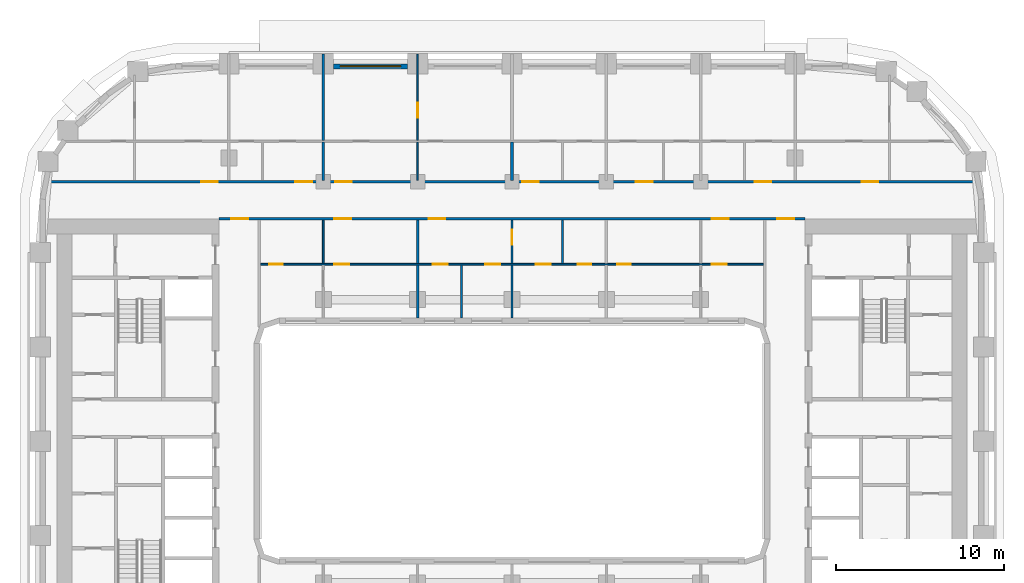
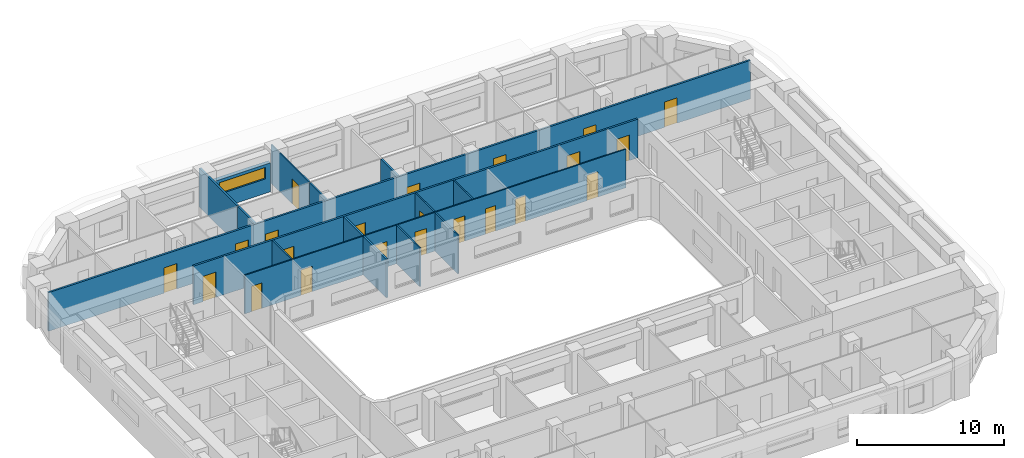
# One storey, part 8 of 21: 22 doors, 16 walls, 1 window, 23 openings.
"""IFC4 building model written with IfcOpenShell, lengths in metres."""

from ifc_helpers import new_model, si_unit, direction, frame, frame_2d, origin, place, context, subcontext, project, spatial, rectangle, extrude, material, layer, layer_set, type_object, element, fill, save


model = new_model("IFC4")

# Units and contexts
model_context = context("Model", 3, precision=1e-05, world=origin(), true_north=direction((0.0, 1.0)))
body_context = subcontext(model_context, "Body", "Model", "MODEL_VIEW")
ifc_project = project(units=[si_unit("LENGTHUNIT", "METRE"), si_unit("AREAUNIT", "SQUARE_METRE"), si_unit("VOLUMEUNIT", "CUBIC_METRE"), si_unit("PLANEANGLEUNIT", "RADIAN"), si_unit("MASSUNIT", "GRAM", prefix="KILO")], contexts=[model_context])

# Site, building, storey
site_placement = place(None, origin())
site = spatial("IfcSite", under=ifc_project, at=site_placement, CompositionType="ELEMENT")
building_placement = place(site_placement, origin())
building = spatial("IfcBuilding", under=site, at=building_placement, Name="Kiln Ring Residences", CompositionType="ELEMENT")
storey_placement = place(building_placement, frame((0.0, 0.0, 114.800048828125)))
storey = spatial("IfcBuildingStorey", under=building, at=storey_placement, Name="L29", CompositionType="ELEMENT", Elevation=114.800048828125)

# Wall, opening, window
ifc_material_1 = material(Name="Brick masonry, dark clay brick", Category="masonry")
ifc_layer_1 = layer(ifc_material_1, 0.300048828125)
ifc_layer_set_1 = layer_set([ifc_layer_1], Name="EW-300 BRICK WALL")
wall_type_1 = type_object("IfcWallType", Name="EW-300 BRICK WALL", PredefinedType="SOLIDWALL", material=ifc_layer_set_1)
wall_1_placement = place(storey_placement, frame((-6.199951171875, 22.25, 0.0), z_axis=(0.0, 0.0, 1.0), x_axis=(-1.0, 0.0, 0.0)))
wall_1 = element("IfcWall", 1, at=wall_1_placement, inside=storey, type_object=wall_type_1, Name="Facade wall L29 33", PredefinedType="SOLIDWALL", context=body_context, shape_type="SweptSolid", body=[
    extrude(rectangle(XDim=4.400146484375, YDim=0.300048828125, at=frame_2d((2.2001953125, 0.0))), origin(), (0.0, 0.0, 1.0), 2.39990234375),
])
opening_1_placement = place(wall_1_placement, frame((0.39990234375, 0.0, 1.199951171875)))
opening_1 = element("IfcOpeningElement", 2, at=opening_1_placement, cuts=wall_1, Name="Opening W4", PredefinedType="OPENING", context=body_context, shape_type="SweptSolid", body=[
    extrude(rectangle(XDim=3.60009765625, YDim=0.949951171875, at=frame_2d((1.800048828125, 0.47509765625))), frame((0.0, 0.159912109375, 0.0), z_axis=(0.0, -1.0, 0.0), x_axis=(1.0, 0.0, 0.0)), (0.0, 0.0, 1.0), 0.320068359375),
])
ifc_material_2 = material(Name="Aluminium frame with double glazing", Category="aluminium")
window_type = type_object("IfcWindowType", Name="WINDOW 3600 x 950", PartitioningType="SINGLE_PANEL", PredefinedType="WINDOW", material=ifc_material_2)
window_placement = place(opening_1_placement, origin())
window = element("IfcWindow", 3, at=window_placement, inside=storey, type_object=window_type, Name="Window L29 19", OverallHeight=0.949951171875, OverallWidth=3.60009765625, PartitioningType="SINGLE_PANEL", PredefinedType="WINDOW", context=body_context, shape_type="SweptSolid", body=[
    extrude(rectangle(XDim=3.60009765625, YDim=0.949951171875, at=frame_2d((1.800048828125, 0.47509765625))), frame((0.0, 0.030029296875, 0.0), z_axis=(0.0, -1.0, 0.0), x_axis=(1.0, 0.0, 0.0)), (0.0, 0.0, 1.0), 0.06005859375),
])
fill(opening_1, window)

# Wall, openings, doors
ifc_material_3 = material(Name="Gypsum board on steel studs", Category="steel")
ifc_layer_2 = layer(ifc_material_3, 0.10009765625)
ifc_layer_set_2 = layer_set([ifc_layer_2], Name="PARTITION-100")
wall_type_2 = type_object("IfcWallType", Name="PARTITION-100", PredefinedType="PARTITIONING", material=ifc_layer_set_2)
wall_2_placement = place(storey_placement, frame((-14.925048828125, 10.5, 0.0), z_axis=(0.0, 0.0, 1.0), x_axis=(1.0, 0.0, 0.0)))
wall_2 = element("IfcWall", 4, at=wall_2_placement, inside=storey, type_object=wall_type_2, Name="Partition 003", PredefinedType="PARTITIONING", context=body_context, shape_type="SweptSolid", body=[
    extrude(rectangle(XDim=29.85009765625, YDim=0.10009765625, at=frame_2d((14.925048828125, 0.0))), origin(), (0.0, 0.0, 1.0), 3.199951171875),
])
opening_2_placement = place(wall_2_placement, frame((0.52490234375, 0.0, 0.0)))
opening_2 = element("IfcOpeningElement", 5, at=opening_2_placement, cuts=wall_2, Name="Opening L29-D006", PredefinedType="OPENING", context=body_context, shape_type="SweptSolid", body=[
    extrude(rectangle(XDim=0.800048828125, YDim=2.10009765625, at=frame_2d((0.39990234375, 1.050048828125))), frame((0.0, 0.06005859375, 0.0), z_axis=(0.0, -1.0, 0.0), x_axis=(1.0, 0.0, 0.0)), (0.0, 0.0, 1.0), 0.1201171875),
])
opening_3_placement = place(wall_2_placement, frame((4.375, 0.0, 0.0)))
opening_3 = element("IfcOpeningElement", 6, at=opening_3_placement, cuts=wall_2, Name="Opening L29-D007", PredefinedType="OPENING", context=body_context, shape_type="SweptSolid", body=[
    extrude(rectangle(XDim=0.89990234375, YDim=2.10009765625, at=frame_2d((0.449951171875, 1.050048828125))), frame((0.0, 0.06005859375, 0.0), z_axis=(0.0, -1.0, 0.0), x_axis=(1.0, 0.0, 0.0)), (0.0, 0.0, 1.0), 0.1201171875),
])
opening_4_placement = place(wall_2_placement, frame((18.824951171875, 0.0, 0.0)))
opening_4 = element("IfcOpeningElement", 7, at=opening_4_placement, cuts=wall_2, Name="Opening L29-D011", PredefinedType="OPENING", context=body_context, shape_type="SweptSolid", body=[
    extrude(rectangle(XDim=0.800048828125, YDim=2.10009765625, at=frame_2d((0.39990234375, 1.050048828125))), frame((0.0, 0.06005859375, 0.0), z_axis=(0.0, -1.0, 0.0), x_axis=(1.0, 0.0, 0.0)), (0.0, 0.0, 1.0), 0.1201171875),
])
opening_5_placement = place(wall_2_placement, frame((16.324951171875, 0.0, 0.0)))
opening_5 = element("IfcOpeningElement", 8, at=opening_5_placement, cuts=wall_2, Name="Opening L29-D012", PredefinedType="OPENING", context=body_context, shape_type="SweptSolid", body=[
    extrude(rectangle(XDim=0.89990234375, YDim=2.10009765625, at=frame_2d((0.449951171875, 1.050048828125))), frame((0.0, 0.06005859375, 0.0), z_axis=(0.0, -1.0, 0.0), x_axis=(1.0, 0.0, 0.0)), (0.0, 0.0, 1.0), 0.1201171875),
])
opening_6_placement = place(wall_2_placement, frame((10.22509765625, 0.0, 0.0)))
opening_6 = element("IfcOpeningElement", 9, at=opening_6_placement, cuts=wall_2, Name="Opening L29-D013", PredefinedType="OPENING", context=body_context, shape_type="SweptSolid", body=[
    extrude(rectangle(XDim=0.89990234375, YDim=2.10009765625, at=frame_2d((0.449951171875, 1.050048828125))), frame((0.0, 0.06005859375, 0.0), z_axis=(0.0, -1.0, 0.0), x_axis=(1.0, 0.0, 0.0)), (0.0, 0.0, 1.0), 0.1201171875),
])
opening_7_placement = place(wall_2_placement, frame((13.324951171875, 0.0, 0.0)))
opening_7 = element("IfcOpeningElement", 10, at=opening_7_placement, cuts=wall_2, Name="Opening L29-D014", PredefinedType="OPENING", context=body_context, shape_type="SweptSolid", body=[
    extrude(rectangle(XDim=0.89990234375, YDim=2.10009765625, at=frame_2d((0.449951171875, 1.050048828125))), frame((0.0, 0.06005859375, 0.0), z_axis=(0.0, -1.0, 0.0), x_axis=(1.0, 0.0, 0.0)), (0.0, 0.0, 1.0), 0.1201171875),
])
opening_8_placement = place(wall_2_placement, frame((21.175048828125, 0.0, 0.0)))
opening_8 = element("IfcOpeningElement", 11, at=opening_8_placement, cuts=wall_2, Name="Opening L29-D016", PredefinedType="OPENING", context=body_context, shape_type="SweptSolid", body=[
    extrude(rectangle(XDim=0.800048828125, YDim=2.10009765625, at=frame_2d((0.39990234375, 1.050048828125))), frame((0.0, 0.06005859375, 0.0), z_axis=(0.0, -1.0, 0.0), x_axis=(1.0, 0.0, 0.0)), (0.0, 0.0, 1.0), 0.1201171875),
])
opening_9_placement = place(wall_2_placement, frame((26.77490234375, 0.0, 0.0)))
opening_9 = element("IfcOpeningElement", 12, at=opening_9_placement, cuts=wall_2, Name="Opening L29-D017", PredefinedType="OPENING", context=body_context, shape_type="SweptSolid", body=[
    extrude(rectangle(XDim=0.89990234375, YDim=2.10009765625, at=frame_2d((0.449951171875, 1.050048828125))), frame((0.0, 0.06005859375, 0.0), z_axis=(0.0, -1.0, 0.0), x_axis=(1.0, 0.0, 0.0)), (0.0, 0.0, 1.0), 0.1201171875),
])
ifc_material_4 = material(Name="Timber door leaf", Category="wood")
door_type_1 = type_object("IfcDoorType", Name="FLAT-DOOR-800-PL", OperationType="SINGLE_SWING_LEFT", PredefinedType="DOOR", material=ifc_material_4)
door_1_placement = place(opening_2_placement, origin())
door_1 = element("IfcDoor", 13, at=door_1_placement, inside=storey, type_object=door_type_1, Name="Door L29-D006", OperationType="SINGLE_SWING_RIGHT", OverallHeight=2.10009765625, OverallWidth=0.800048828125, PredefinedType="DOOR", context=body_context, shape_type="SweptSolid", body=[
    extrude(rectangle(XDim=0.800048828125, YDim=2.10009765625, at=frame_2d((0.39990234375, 1.050048828125))), frame((0.0, 0.02490234375, 0.0), z_axis=(0.0, -1.0, 0.0), x_axis=(1.0, 0.0, 0.0)), (0.0, 0.0, 1.0), 0.050048828125),
])
fill(opening_2, door_1)
door_2_placement = place(opening_4_placement, origin())
door_2 = element("IfcDoor", 14, at=door_2_placement, inside=storey, type_object=door_type_1, Name="Door L29-D011", OperationType="SINGLE_SWING_LEFT", OverallHeight=2.10009765625, OverallWidth=0.800048828125, PredefinedType="DOOR", context=body_context, shape_type="SweptSolid", body=[
    extrude(rectangle(XDim=0.800048828125, YDim=2.10009765625, at=frame_2d((0.39990234375, 1.050048828125))), frame((0.0, 0.02490234375, 0.0), z_axis=(0.0, -1.0, 0.0), x_axis=(1.0, 0.0, 0.0)), (0.0, 0.0, 1.0), 0.050048828125),
])
fill(opening_4, door_2)
door_3_placement = place(opening_8_placement, origin())
door_3 = element("IfcDoor", 15, at=door_3_placement, inside=storey, type_object=door_type_1, Name="Door L29-D016", OperationType="SINGLE_SWING_RIGHT", OverallHeight=2.10009765625, OverallWidth=0.800048828125, PredefinedType="DOOR", context=body_context, shape_type="SweptSolid", body=[
    extrude(rectangle(XDim=0.800048828125, YDim=2.10009765625, at=frame_2d((0.39990234375, 1.050048828125))), frame((0.0, 0.02490234375, 0.0), z_axis=(0.0, -1.0, 0.0), x_axis=(1.0, 0.0, 0.0)), (0.0, 0.0, 1.0), 0.050048828125),
])
fill(opening_8, door_3)
ifc_material_5 = material(Name="Timber door leaf", Category="wood")
door_type_2 = type_object("IfcDoorType", Name="FLAT-DOOR-900-PL", OperationType="SINGLE_SWING_LEFT", PredefinedType="DOOR", material=ifc_material_5)
door_4_placement = place(opening_3_placement, origin())
door_4 = element("IfcDoor", 16, at=door_4_placement, inside=storey, type_object=door_type_2, Name="Door L29-D007", OperationType="SINGLE_SWING_LEFT", OverallHeight=2.10009765625, OverallWidth=0.89990234375, PredefinedType="DOOR", context=body_context, shape_type="SweptSolid", body=[
    extrude(rectangle(XDim=0.89990234375, YDim=2.10009765625, at=frame_2d((0.449951171875, 1.050048828125))), frame((0.0, 0.02490234375, 0.0), z_axis=(0.0, -1.0, 0.0), x_axis=(1.0, 0.0, 0.0)), (0.0, 0.0, 1.0), 0.050048828125),
])
fill(opening_3, door_4)
door_5_placement = place(opening_5_placement, origin())
door_5 = element("IfcDoor", 17, at=door_5_placement, inside=storey, type_object=door_type_2, Name="Door L29-D012", OperationType="SINGLE_SWING_RIGHT", OverallHeight=2.10009765625, OverallWidth=0.89990234375, PredefinedType="DOOR", context=body_context, shape_type="SweptSolid", body=[
    extrude(rectangle(XDim=0.89990234375, YDim=2.10009765625, at=frame_2d((0.449951171875, 1.050048828125))), frame((0.0, 0.02490234375, 0.0), z_axis=(0.0, -1.0, 0.0), x_axis=(1.0, 0.0, 0.0)), (0.0, 0.0, 1.0), 0.050048828125),
])
fill(opening_5, door_5)
door_6_placement = place(opening_6_placement, origin())
door_6 = element("IfcDoor", 18, at=door_6_placement, inside=storey, type_object=door_type_2, Name="Door L29-D013", OperationType="SINGLE_SWING_LEFT", OverallHeight=2.10009765625, OverallWidth=0.89990234375, PredefinedType="DOOR", context=body_context, shape_type="SweptSolid", body=[
    extrude(rectangle(XDim=0.89990234375, YDim=2.10009765625, at=frame_2d((0.449951171875, 1.050048828125))), frame((0.0, 0.02490234375, 0.0), z_axis=(0.0, -1.0, 0.0), x_axis=(1.0, 0.0, 0.0)), (0.0, 0.0, 1.0), 0.050048828125),
])
fill(opening_6, door_6)
door_7_placement = place(opening_7_placement, origin())
door_7 = element("IfcDoor", 19, at=door_7_placement, inside=storey, type_object=door_type_2, Name="Door L29-D014", OperationType="SINGLE_SWING_RIGHT", OverallHeight=2.10009765625, OverallWidth=0.89990234375, PredefinedType="DOOR", context=body_context, shape_type="SweptSolid", body=[
    extrude(rectangle(XDim=0.89990234375, YDim=2.10009765625, at=frame_2d((0.449951171875, 1.050048828125))), frame((0.0, 0.02490234375, 0.0), z_axis=(0.0, -1.0, 0.0), x_axis=(1.0, 0.0, 0.0)), (0.0, 0.0, 1.0), 0.050048828125),
])
fill(opening_7, door_7)
door_8_placement = place(opening_9_placement, origin())
door_8 = element("IfcDoor", 20, at=door_8_placement, inside=storey, type_object=door_type_2, Name="Door L29-D017", OperationType="SINGLE_SWING_LEFT", OverallHeight=2.10009765625, OverallWidth=0.89990234375, PredefinedType="DOOR", context=body_context, shape_type="SweptSolid", body=[
    extrude(rectangle(XDim=0.89990234375, YDim=2.10009765625, at=frame_2d((0.449951171875, 1.050048828125))), frame((0.0, 0.02490234375, 0.0), z_axis=(0.0, -1.0, 0.0), x_axis=(1.0, 0.0, 0.0)), (0.0, 0.0, 1.0), 0.050048828125),
])
fill(opening_9, door_8)

# Walls
wall_3_placement = place(storey_placement, frame((-11.199951171875, 10.550048828125, 0.0), z_axis=(0.0, 0.0, 1.0), x_axis=(0.0, 1.0, 0.0)))
element("IfcWall", 21, at=wall_3_placement, inside=storey, type_object=wall_type_2, Name="Partition 023", PredefinedType="PARTITIONING", context=body_context, shape_type="SweptSolid", body=[
    extrude(rectangle(XDim=2.574951171875, YDim=0.10009765625, at=frame_2d((1.28759765625, 0.0))), origin(), (0.0, 0.0, 1.0), 3.199951171875),
])
wall_4_placement = place(storey_placement, frame((-5.60009765625, 15.47509765625, 0.0), z_axis=(0.0, 0.0, 1.0), x_axis=(0.0, 1.0, 0.0)))
element("IfcWall", 22, at=wall_4_placement, inside=storey, type_object=wall_type_2, Name="Partition 028", PredefinedType="PARTITIONING", context=body_context, shape_type="SweptSolid", body=[
    extrude(rectangle(XDim=2.27490234375, YDim=0.10009765625, at=frame_2d((1.137451171875, 0.0))), origin(), (0.0, 0.0, 1.0), 3.199951171875),
])

# Wall, opening, door
wall_5_placement = place(storey_placement, frame((-5.60009765625, 17.85009765625, 0.0), z_axis=(0.0, 0.0, 1.0), x_axis=(0.0, 1.0, 0.0)))
wall_5 = element("IfcWall", 23, at=wall_5_placement, inside=storey, type_object=wall_type_2, Name="Partition 029", PredefinedType="PARTITIONING", context=body_context, shape_type="SweptSolid", body=[
    extrude(rectangle(XDim=5.1298828125, YDim=0.10009765625, at=frame_2d((2.56494140625, 0.0))), origin(), (0.0, 0.0, 1.0), 3.199951171875),
])
opening_10_placement = place(wall_5_placement, frame((1.35009765625, 0.0, 0.0)))
opening_10 = element("IfcOpeningElement", 24, at=opening_10_placement, cuts=wall_5, Name="Opening L29-D029", PredefinedType="OPENING", context=body_context, shape_type="SweptSolid", body=[
    extrude(rectangle(XDim=0.89990234375, YDim=2.10009765625, at=frame_2d((0.449951171875, 1.050048828125))), frame((0.0, 0.06005859375, 0.0), z_axis=(0.0, -1.0, 0.0), x_axis=(1.0, 0.0, 0.0)), (0.0, 0.0, 1.0), 0.1201171875),
])
door_9_placement = place(opening_10_placement, origin())
door_9 = element("IfcDoor", 25, at=door_9_placement, inside=storey, type_object=door_type_2, Name="Door L29-D029", OperationType="SINGLE_SWING_LEFT", OverallHeight=2.10009765625, OverallWidth=0.89990234375, PredefinedType="DOOR", context=body_context, shape_type="SweptSolid", body=[
    extrude(rectangle(XDim=0.89990234375, YDim=2.10009765625, at=frame_2d((0.449951171875, 1.050048828125))), frame((0.0, 0.02490234375, 0.0), z_axis=(0.0, -1.0, 0.0), x_axis=(1.0, 0.0, 0.0)), (0.0, 0.0, 1.0), 0.050048828125),
])
fill(opening_10, door_9)

# Walls
for number, where, z_axis, x_axis, name in (
    (26, (-3.0, 7.320068359375, 0.0), (0.0, 0.0, 1.0), (0.0, 1.0, 0.0), "Partition 034"),
    (27, (0.0, 7.320068359375, 0.0), (0.0, 0.0, 1.0), (0.0, 1.0, 0.0), "Partition 038"),
):
    element("IfcWall", number, at=place(storey_placement, frame(where, z_axis=z_axis, x_axis=x_axis)), inside=storey, type_object=wall_type_2, Name=name, PredefinedType="PARTITIONING", context=body_context, shape_type="SweptSolid", body=[
        extrude(rectangle(XDim=3.1298828125, YDim=0.10009765625, at=frame_2d((1.56494140625, 0.0))), origin(), (0.0, 0.0, 1.0), 3.199951171875),
    ])

# Wall, opening, door
wall_6_placement = place(storey_placement, frame((0.0, 10.550048828125, 0.0), z_axis=(0.0, 0.0, 1.0), x_axis=(0.0, 1.0, 0.0)))
wall_6 = element("IfcWall", 28, at=wall_6_placement, inside=storey, type_object=wall_type_2, Name="Partition 039", PredefinedType="PARTITIONING", context=body_context, shape_type="SweptSolid", body=[
    extrude(rectangle(XDim=2.574951171875, YDim=0.10009765625, at=frame_2d((1.28759765625, 0.0))), origin(), (0.0, 0.0, 1.0), 3.199951171875),
])
opening_11_placement = place(wall_6_placement, frame((1.10009765625, 0.0, 0.0)))
opening_11 = element("IfcOpeningElement", 29, at=opening_11_placement, cuts=wall_6, Name="Opening L29-D010", PredefinedType="OPENING", context=body_context, shape_type="SweptSolid", body=[
    extrude(rectangle(XDim=0.89990234375, YDim=2.10009765625, at=frame_2d((0.449951171875, 1.050048828125))), frame((0.0, 0.06005859375, 0.0), z_axis=(0.0, -1.0, 0.0), x_axis=(1.0, 0.0, 0.0)), (0.0, 0.0, 1.0), 0.1201171875),
])
door_10_placement = place(opening_11_placement, origin())
door_10 = element("IfcDoor", 30, at=door_10_placement, inside=storey, type_object=door_type_2, Name="Door L29-D010", OperationType="SINGLE_SWING_RIGHT", OverallHeight=2.10009765625, OverallWidth=0.89990234375, PredefinedType="DOOR", context=body_context, shape_type="SweptSolid", body=[
    extrude(rectangle(XDim=0.89990234375, YDim=2.10009765625, at=frame_2d((0.449951171875, 1.050048828125))), frame((0.0, 0.02490234375, 0.0), z_axis=(0.0, -1.0, 0.0), x_axis=(1.0, 0.0, 0.0)), (0.0, 0.0, 1.0), 0.050048828125),
])
fill(opening_11, door_10)

# Wall
wall_7_placement = place(storey_placement, frame((3.0, 10.550048828125, 0.0), z_axis=(0.0, 0.0, 1.0), x_axis=(0.0, 1.0, 0.0)))
element("IfcWall", 31, at=wall_7_placement, inside=storey, type_object=wall_type_2, Name="Partition 042", PredefinedType="PARTITIONING", context=body_context, shape_type="SweptSolid", body=[
    extrude(rectangle(XDim=2.574951171875, YDim=0.10009765625, at=frame_2d((1.28759765625, 0.0))), origin(), (0.0, 0.0, 1.0), 3.199951171875),
])

# Wall, openings, doors
ifc_material_6 = material(Name="Brick masonry partition", Category="masonry")
ifc_layer_3 = layer(ifc_material_6, 0.14990234375)
ifc_layer_set_3 = layer_set([ifc_layer_3], Name="PARTITION-150-ei60")
wall_type_3 = type_object("IfcWallType", Name="PARTITION-150-ei60", PredefinedType="PARTITIONING", material=ifc_layer_set_3)
wall_8_placement = place(storey_placement, frame((-17.39990234375, 13.199951171875, 0.0), z_axis=(0.0, 0.0, 1.0), x_axis=(1.0, 0.0, 0.0)))
wall_8 = element("IfcWall", 32, at=wall_8_placement, inside=storey, type_object=wall_type_3, Name="Partition 004", PredefinedType="PARTITIONING", context=body_context, shape_type="SweptSolid", body=[
    extrude(rectangle(XDim=34.7998046875, YDim=0.14990234375, at=frame_2d((17.39990234375, 0.0))), origin(), (0.0, 0.0, 1.0), 3.199951171875),
])
opening_12_placement = place(wall_8_placement, frame((0.75, 0.0, 0.0)))
opening_12 = element("IfcOpeningElement", 33, at=opening_12_placement, cuts=wall_8, Name="Opening L29-D001", PredefinedType="OPENING", context=body_context, shape_type="SweptSolid", body=[
    extrude(rectangle(XDim=1.0, YDim=2.10009765625, at=frame_2d((0.5, 1.050048828125))), frame((0.0, 0.0849609375, 0.0), z_axis=(0.0, -1.0, 0.0), x_axis=(1.0, 0.0, 0.0)), (0.0, 0.0, 1.0), 0.169921875),
])
opening_13_placement = place(wall_8_placement, frame((33.14990234375, 0.0, 0.0)))
opening_13 = element("IfcOpeningElement", 34, at=opening_13_placement, cuts=wall_8, Name="Opening L29-D002", PredefinedType="OPENING", context=body_context, shape_type="SweptSolid", body=[
    extrude(rectangle(XDim=1.0, YDim=2.10009765625, at=frame_2d((0.5, 1.050048828125))), frame((0.0, 0.0849609375, 0.0), z_axis=(0.0, -1.0, 0.0), x_axis=(1.0, 0.0, 0.0)), (0.0, 0.0, 1.0), 0.169921875),
])
opening_14_placement = place(wall_8_placement, frame((6.85009765625, 0.0, 0.0)))
opening_14 = element("IfcOpeningElement", 35, at=opening_14_placement, cuts=wall_8, Name="Opening L29-D005", PredefinedType="OPENING", context=body_context, shape_type="SweptSolid", body=[
    extrude(rectangle(XDim=1.0, YDim=2.10009765625, at=frame_2d((0.5, 1.050048828125))), frame((0.0, 0.0849609375, 0.0), z_axis=(0.0, -1.0, 0.0), x_axis=(1.0, 0.0, 0.0)), (0.0, 0.0, 1.0), 0.169921875),
])
opening_15_placement = place(wall_8_placement, frame((12.449951171875, 0.0, 0.0)))
opening_15 = element("IfcOpeningElement", 36, at=opening_15_placement, cuts=wall_8, Name="Opening L29-D009", PredefinedType="OPENING", context=body_context, shape_type="SweptSolid", body=[
    extrude(rectangle(XDim=1.0, YDim=2.10009765625, at=frame_2d((0.5, 1.050048828125))), frame((0.0, 0.0849609375, 0.0), z_axis=(0.0, -1.0, 0.0), x_axis=(1.0, 0.0, 0.0)), (0.0, 0.0, 1.0), 0.169921875),
])
opening_16_placement = place(wall_8_placement, frame((29.25, 0.0, 0.0)))
opening_16 = element("IfcOpeningElement", 37, at=opening_16_placement, cuts=wall_8, Name="Opening L29-D015", PredefinedType="OPENING", context=body_context, shape_type="SweptSolid", body=[
    extrude(rectangle(XDim=1.0, YDim=2.10009765625, at=frame_2d((0.5, 1.050048828125))), frame((0.0, 0.0849609375, 0.0), z_axis=(0.0, -1.0, 0.0), x_axis=(1.0, 0.0, 0.0)), (0.0, 0.0, 1.0), 0.169921875),
])
ifc_material_7 = material(Name="Steel faced fire door leaf", Category="steel")
door_type_3 = type_object("IfcDoorType", Name="FLAT-DOOR-1000-FR", OperationType="SINGLE_SWING_LEFT", PredefinedType="DOOR", material=ifc_material_7)
door_11_placement = place(opening_12_placement, origin())
door_11 = element("IfcDoor", 38, at=door_11_placement, inside=storey, type_object=door_type_3, Name="Door L29-D001", OperationType="SINGLE_SWING_RIGHT", OverallHeight=2.10009765625, OverallWidth=1.0, PredefinedType="DOOR", context=body_context, shape_type="SweptSolid", body=[
    extrude(rectangle(XDim=1.0, YDim=2.10009765625, at=frame_2d((0.5, 1.050048828125))), frame((0.0, 0.02490234375, 0.0), z_axis=(0.0, -1.0, 0.0), x_axis=(1.0, 0.0, 0.0)), (0.0, 0.0, 1.0), 0.050048828125),
])
fill(opening_12, door_11)
door_12_placement = place(opening_13_placement, origin())
door_12 = element("IfcDoor", 39, at=door_12_placement, inside=storey, type_object=door_type_3, Name="Door L29-D002", OperationType="SINGLE_SWING_LEFT", OverallHeight=2.10009765625, OverallWidth=1.0, PredefinedType="DOOR", context=body_context, shape_type="SweptSolid", body=[
    extrude(rectangle(XDim=1.0, YDim=2.10009765625, at=frame_2d((0.5, 1.050048828125))), frame((0.0, 0.02490234375, 0.0), z_axis=(0.0, -1.0, 0.0), x_axis=(1.0, 0.0, 0.0)), (0.0, 0.0, 1.0), 0.050048828125),
])
fill(opening_13, door_12)
door_13_placement = place(opening_14_placement, origin())
door_13 = element("IfcDoor", 40, at=door_13_placement, inside=storey, type_object=door_type_3, Name="Door L29-D005", OperationType="SINGLE_SWING_LEFT", OverallHeight=2.10009765625, OverallWidth=1.0, PredefinedType="DOOR", context=body_context, shape_type="SweptSolid", body=[
    extrude(rectangle(XDim=1.0, YDim=2.10009765625, at=frame_2d((0.5, 1.050048828125))), frame((0.0, 0.02490234375, 0.0), z_axis=(0.0, -1.0, 0.0), x_axis=(1.0, 0.0, 0.0)), (0.0, 0.0, 1.0), 0.050048828125),
])
fill(opening_14, door_13)
door_14_placement = place(opening_15_placement, origin())
door_14 = element("IfcDoor", 41, at=door_14_placement, inside=storey, type_object=door_type_3, Name="Door L29-D009", OperationType="SINGLE_SWING_LEFT", OverallHeight=2.10009765625, OverallWidth=1.0, PredefinedType="DOOR", context=body_context, shape_type="SweptSolid", body=[
    extrude(rectangle(XDim=1.0, YDim=2.10009765625, at=frame_2d((0.5, 1.050048828125))), frame((0.0, 0.02490234375, 0.0), z_axis=(0.0, -1.0, 0.0), x_axis=(1.0, 0.0, 0.0)), (0.0, 0.0, 1.0), 0.050048828125),
])
fill(opening_15, door_14)
door_15_placement = place(opening_16_placement, origin())
door_15 = element("IfcDoor", 42, at=door_15_placement, inside=storey, type_object=door_type_3, Name="Door L29-D015", OperationType="SINGLE_SWING_LEFT", OverallHeight=2.10009765625, OverallWidth=1.0, PredefinedType="DOOR", context=body_context, shape_type="SweptSolid", body=[
    extrude(rectangle(XDim=1.0, YDim=2.10009765625, at=frame_2d((0.5, 1.050048828125))), frame((0.0, 0.02490234375, 0.0), z_axis=(0.0, -1.0, 0.0), x_axis=(1.0, 0.0, 0.0)), (0.0, 0.0, 1.0), 0.050048828125),
])
fill(opening_16, door_15)

wall_9_placement = place(storey_placement, frame((-27.48388671875, 15.39990234375, 0.0), z_axis=(0.0, 0.0, 1.0), x_axis=(1.0, 0.0, 0.0)))
wall_9 = element("IfcWall", 43, at=wall_9_placement, inside=storey, type_object=wall_type_3, Name="Partition 005", PredefinedType="PARTITIONING", context=body_context, shape_type="SweptSolid", body=[
    extrude(rectangle(XDim=54.9677734375, YDim=0.14990234375, at=frame_2d((27.48388671875, 0.0))), origin(), (0.0, 0.0, 1.0), 3.199951171875),
])
opening_17_placement = place(wall_9_placement, frame((9.03369140625, 0.0, 0.0)))
opening_17 = element("IfcOpeningElement", 44, at=opening_17_placement, cuts=wall_9, Name="Opening L29-D019", PredefinedType="OPENING", context=body_context, shape_type="SweptSolid", body=[
    extrude(rectangle(XDim=1.0, YDim=2.10009765625, at=frame_2d((0.5, 1.050048828125))), frame((0.0, 0.0849609375, 0.0), z_axis=(0.0, -1.0, 0.0), x_axis=(1.0, 0.0, 0.0)), (0.0, 0.0, 1.0), 0.169921875),
])
opening_18_placement = place(wall_9_placement, frame((14.6337890625, 0.0, 0.0)))
opening_18 = element("IfcOpeningElement", 45, at=opening_18_placement, cuts=wall_9, Name="Opening L29-D023", PredefinedType="OPENING", context=body_context, shape_type="SweptSolid", body=[
    extrude(rectangle(XDim=1.0, YDim=2.10009765625, at=frame_2d((0.5, 1.050048828125))), frame((0.0, 0.0849609375, 0.0), z_axis=(0.0, -1.0, 0.0), x_axis=(1.0, 0.0, 0.0)), (0.0, 0.0, 1.0), 0.169921875),
])
opening_19_placement = place(wall_9_placement, frame((16.98388671875, 0.0, 0.0)))
opening_19 = element("IfcOpeningElement", 46, at=opening_19_placement, cuts=wall_9, Name="Opening L29-D026", PredefinedType="OPENING", context=body_context, shape_type="SweptSolid", body=[
    extrude(rectangle(XDim=1.0, YDim=2.10009765625, at=frame_2d((0.5, 1.050048828125))), frame((0.0, 0.0849609375, 0.0), z_axis=(0.0, -1.0, 0.0), x_axis=(1.0, 0.0, 0.0)), (0.0, 0.0, 1.0), 0.169921875),
])
opening_20_placement = place(wall_9_placement, frame((28.083740234375, 0.0, 0.0)))
opening_20 = element("IfcOpeningElement", 47, at=opening_20_placement, cuts=wall_9, Name="Opening L29-D030", PredefinedType="OPENING", context=body_context, shape_type="SweptSolid", body=[
    extrude(rectangle(XDim=1.0, YDim=2.10009765625, at=frame_2d((0.5, 1.050048828125))), frame((0.0, 0.0849609375, 0.0), z_axis=(0.0, -1.0, 0.0), x_axis=(1.0, 0.0, 0.0)), (0.0, 0.0, 1.0), 0.169921875),
])
opening_21_placement = place(wall_9_placement, frame((34.833740234375, 0.0, 0.0)))
opening_21 = element("IfcOpeningElement", 48, at=opening_21_placement, cuts=wall_9, Name="Opening L29-D033", PredefinedType="OPENING", context=body_context, shape_type="SweptSolid", body=[
    extrude(rectangle(XDim=1.0, YDim=2.10009765625, at=frame_2d((0.5, 1.050048828125))), frame((0.0, 0.0849609375, 0.0), z_axis=(0.0, -1.0, 0.0), x_axis=(1.0, 0.0, 0.0)), (0.0, 0.0, 1.0), 0.169921875),
])
opening_22_placement = place(wall_9_placement, frame((41.8837890625, 0.0, 0.0)))
opening_22 = element("IfcOpeningElement", 49, at=opening_22_placement, cuts=wall_9, Name="Opening L29-D036", PredefinedType="OPENING", context=body_context, shape_type="SweptSolid", body=[
    extrude(rectangle(XDim=1.0, YDim=2.10009765625, at=frame_2d((0.5, 1.050048828125))), frame((0.0, 0.0849609375, 0.0), z_axis=(0.0, -1.0, 0.0), x_axis=(1.0, 0.0, 0.0)), (0.0, 0.0, 1.0), 0.169921875),
])
opening_23_placement = place(wall_9_placement, frame((48.23388671875, 0.0, 0.0)))
opening_23 = element("IfcOpeningElement", 50, at=opening_23_placement, cuts=wall_9, Name="Opening L29-D039", PredefinedType="OPENING", context=body_context, shape_type="SweptSolid", body=[
    extrude(rectangle(XDim=1.0, YDim=2.10009765625, at=frame_2d((0.5, 1.050048828125))), frame((0.0, 0.0849609375, 0.0), z_axis=(0.0, -1.0, 0.0), x_axis=(1.0, 0.0, 0.0)), (0.0, 0.0, 1.0), 0.169921875),
])
door_16_placement = place(opening_17_placement, origin())
door_16 = element("IfcDoor", 51, at=door_16_placement, inside=storey, type_object=door_type_3, Name="Door L29-D019", OperationType="SINGLE_SWING_LEFT", OverallHeight=2.10009765625, OverallWidth=1.0, PredefinedType="DOOR", context=body_context, shape_type="SweptSolid", body=[
    extrude(rectangle(XDim=1.0, YDim=2.10009765625, at=frame_2d((0.5, 1.050048828125))), frame((0.0, 0.02490234375, 0.0), z_axis=(0.0, -1.0, 0.0), x_axis=(1.0, 0.0, 0.0)), (0.0, 0.0, 1.0), 0.050048828125),
])
fill(opening_17, door_16)
door_17_placement = place(opening_18_placement, origin())
door_17 = element("IfcDoor", 52, at=door_17_placement, inside=storey, type_object=door_type_3, Name="Door L29-D023", OperationType="SINGLE_SWING_LEFT", OverallHeight=2.10009765625, OverallWidth=1.0, PredefinedType="DOOR", context=body_context, shape_type="SweptSolid", body=[
    extrude(rectangle(XDim=1.0, YDim=2.10009765625, at=frame_2d((0.5, 1.050048828125))), frame((0.0, 0.02490234375, 0.0), z_axis=(0.0, -1.0, 0.0), x_axis=(1.0, 0.0, 0.0)), (0.0, 0.0, 1.0), 0.050048828125),
])
fill(opening_18, door_17)
door_18_placement = place(opening_19_placement, origin())
door_18 = element("IfcDoor", 53, at=door_18_placement, inside=storey, type_object=door_type_3, Name="Door L29-D026", OperationType="SINGLE_SWING_RIGHT", OverallHeight=2.10009765625, OverallWidth=1.0, PredefinedType="DOOR", context=body_context, shape_type="SweptSolid", body=[
    extrude(rectangle(XDim=1.0, YDim=2.10009765625, at=frame_2d((0.5, 1.050048828125))), frame((0.0, 0.02490234375, 0.0), z_axis=(0.0, -1.0, 0.0), x_axis=(1.0, 0.0, 0.0)), (0.0, 0.0, 1.0), 0.050048828125),
])
fill(opening_19, door_18)
door_19_placement = place(opening_20_placement, origin())
door_19 = element("IfcDoor", 54, at=door_19_placement, inside=storey, type_object=door_type_3, Name="Door L29-D030", OperationType="SINGLE_SWING_RIGHT", OverallHeight=2.10009765625, OverallWidth=1.0, PredefinedType="DOOR", context=body_context, shape_type="SweptSolid", body=[
    extrude(rectangle(XDim=1.0, YDim=2.10009765625, at=frame_2d((0.5, 1.050048828125))), frame((0.0, 0.02490234375, 0.0), z_axis=(0.0, -1.0, 0.0), x_axis=(1.0, 0.0, 0.0)), (0.0, 0.0, 1.0), 0.050048828125),
])
fill(opening_20, door_19)
door_20_placement = place(opening_21_placement, origin())
door_20 = element("IfcDoor", 55, at=door_20_placement, inside=storey, type_object=door_type_3, Name="Door L29-D033", OperationType="SINGLE_SWING_LEFT", OverallHeight=2.10009765625, OverallWidth=1.0, PredefinedType="DOOR", context=body_context, shape_type="SweptSolid", body=[
    extrude(rectangle(XDim=1.0, YDim=2.10009765625, at=frame_2d((0.5, 1.050048828125))), frame((0.0, 0.02490234375, 0.0), z_axis=(0.0, -1.0, 0.0), x_axis=(1.0, 0.0, 0.0)), (0.0, 0.0, 1.0), 0.050048828125),
])
fill(opening_21, door_20)
door_21_placement = place(opening_22_placement, origin())
door_21 = element("IfcDoor", 56, at=door_21_placement, inside=storey, type_object=door_type_3, Name="Door L29-D036", OperationType="SINGLE_SWING_RIGHT", OverallHeight=2.10009765625, OverallWidth=1.0, PredefinedType="DOOR", context=body_context, shape_type="SweptSolid", body=[
    extrude(rectangle(XDim=1.0, YDim=2.10009765625, at=frame_2d((0.5, 1.050048828125))), frame((0.0, 0.02490234375, 0.0), z_axis=(0.0, -1.0, 0.0), x_axis=(1.0, 0.0, 0.0)), (0.0, 0.0, 1.0), 0.050048828125),
])
fill(opening_22, door_21)
door_22_placement = place(opening_23_placement, origin())
door_22 = element("IfcDoor", 57, at=door_22_placement, inside=storey, type_object=door_type_3, Name="Door L29-D039", OperationType="SINGLE_SWING_LEFT", OverallHeight=2.10009765625, OverallWidth=1.0, PredefinedType="DOOR", context=body_context, shape_type="SweptSolid", body=[
    extrude(rectangle(XDim=1.0, YDim=2.10009765625, at=frame_2d((0.5, 1.050048828125))), frame((0.0, 0.02490234375, 0.0), z_axis=(0.0, -1.0, 0.0), x_axis=(1.0, 0.0, 0.0)), (0.0, 0.0, 1.0), 0.050048828125),
])
fill(opening_23, door_22)

# Walls
wall_10_placement = place(storey_placement, frame((-11.199951171875, 15.47509765625, 0.0), z_axis=(0.0, 0.0, 1.0), x_axis=(0.0, 1.0, 0.0)))
element("IfcWall", 58, at=wall_10_placement, inside=storey, type_object=wall_type_3, Name="Partition 024", PredefinedType="PARTITIONING", context=body_context, shape_type="SweptSolid", body=[
    extrude(rectangle(XDim=2.27490234375, YDim=0.14990234375, at=frame_2d((1.137451171875, 0.0))), origin(), (0.0, 0.0, 1.0), 3.199951171875),
])
wall_11_placement = place(storey_placement, frame((-11.199951171875, 17.85009765625, 0.0), z_axis=(0.0, 0.0, 1.0), x_axis=(0.0, 1.0, 0.0)))
element("IfcWall", 59, at=wall_11_placement, inside=storey, type_object=wall_type_3, Name="Partition 025", PredefinedType="PARTITIONING", context=body_context, shape_type="SweptSolid", body=[
    extrude(rectangle(XDim=5.1298828125, YDim=0.14990234375, at=frame_2d((2.56494140625, 0.0))), origin(), (0.0, 0.0, 1.0), 3.199951171875),
])
wall_12_placement = place(storey_placement, frame((-5.60009765625, 7.320068359375, 0.0), z_axis=(0.0, 0.0, 1.0), x_axis=(0.0, 1.0, 0.0)))
element("IfcWall", 60, at=wall_12_placement, inside=storey, type_object=wall_type_3, Name="Partition 032", PredefinedType="PARTITIONING", context=body_context, shape_type="SweptSolid", body=[
    extrude(rectangle(XDim=3.1298828125, YDim=0.14990234375, at=frame_2d((1.56494140625, 0.0))), origin(), (0.0, 0.0, 1.0), 3.199951171875),
])
wall_13_placement = place(storey_placement, frame((-5.60009765625, 10.550048828125, 0.0), z_axis=(0.0, 0.0, 1.0), x_axis=(0.0, 1.0, 0.0)))
element("IfcWall", 61, at=wall_13_placement, inside=storey, type_object=wall_type_3, Name="Partition 033", PredefinedType="PARTITIONING", context=body_context, shape_type="SweptSolid", body=[
    extrude(rectangle(XDim=2.574951171875, YDim=0.14990234375, at=frame_2d((1.28759765625, 0.0))), origin(), (0.0, 0.0, 1.0), 3.199951171875),
])
wall_14_placement = place(storey_placement, frame((0.0, 15.47509765625, 0.0), z_axis=(0.0, 0.0, 1.0), x_axis=(0.0, 1.0, 0.0)))
element("IfcWall", 62, at=wall_14_placement, inside=storey, type_object=wall_type_3, Name="Partition 040", PredefinedType="PARTITIONING", context=body_context, shape_type="SweptSolid", body=[
    extrude(rectangle(XDim=2.27490234375, YDim=0.14990234375, at=frame_2d((1.137451171875, 0.0))), origin(), (0.0, 0.0, 1.0), 3.199951171875),
])

save(model, "model.ifc")
